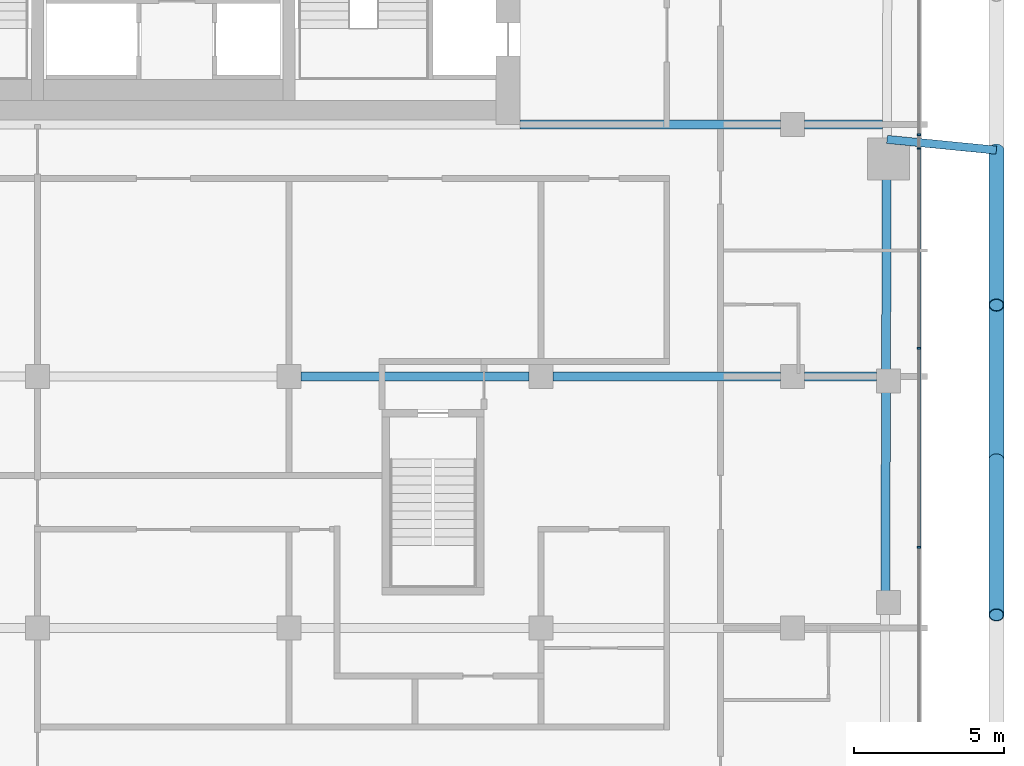
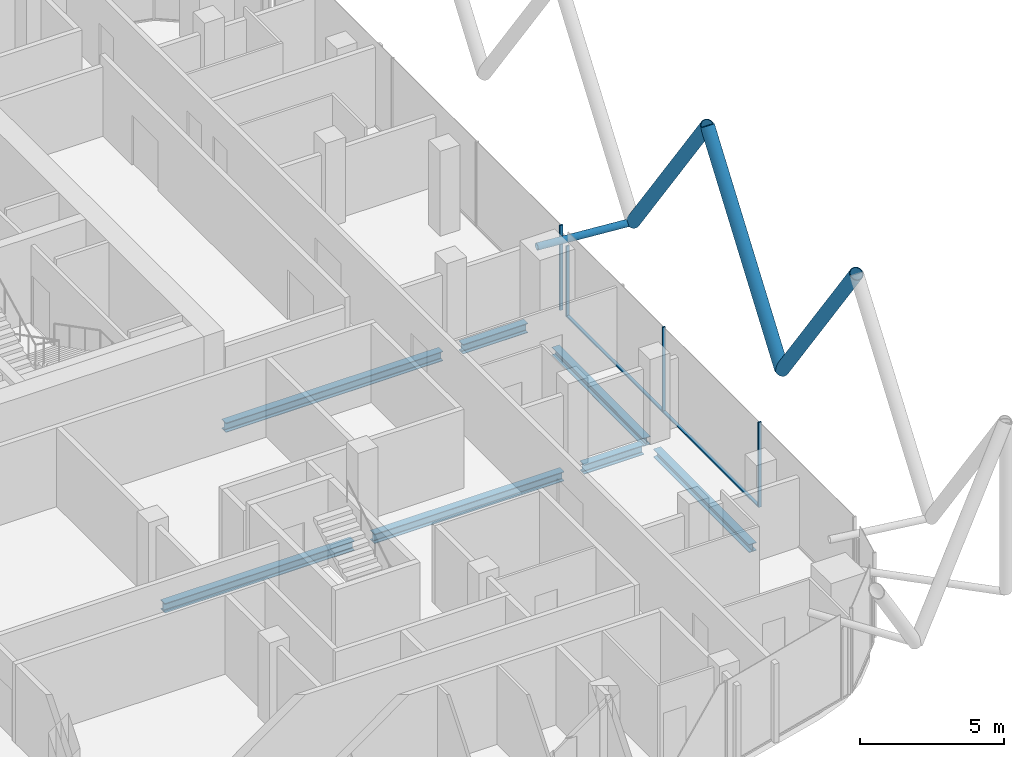
# One storey, part 7 of 31: 10 members, 7 beams, 3 elements without a shape of their own.
"""IFC4 building model written with IfcOpenShell, lengths in metres."""

from ifc_helpers import new_model, si_unit, direction, frame, origin, origin_2d, place, context, subcontext, project, spatial, rectangle, hollow_circle, i_section, extrude, material, layer, layer_set, material_profile, profile_set, type_object, element, aggregate, save


model = new_model("IFC4")

# Units and contexts
model_context = context("Model", 3, precision=1e-05, world=origin(), true_north=direction((0.0, 1.0)))
body_context = subcontext(model_context, "Body", "Model", "MODEL_VIEW")
ifc_project = project(units=[si_unit("LENGTHUNIT", "METRE"), si_unit("AREAUNIT", "SQUARE_METRE"), si_unit("VOLUMEUNIT", "CUBIC_METRE"), si_unit("PLANEANGLEUNIT", "RADIAN"), si_unit("MASSUNIT", "GRAM", prefix="KILO")], contexts=[model_context])

# Site, building, storey
site_placement = place(None, origin())
site = spatial("IfcSite", under=ifc_project, at=site_placement, CompositionType="ELEMENT")
building_placement = place(site_placement, origin())
building = spatial("IfcBuilding", under=site, at=building_placement, Name="Marenta Gate Hotel Tower", CompositionType="ELEMENT")
storey_placement = place(building_placement, frame((0.0, 0.0, 205.699951171875)))
storey = spatial("IfcBuildingStorey", under=building, at=storey_placement, Name="L47", CompositionType="ELEMENT", Elevation=205.699951171875)

# Members
ifc_material_1 = material(Name="Steel S355J2W", Category="steel")
ifc_material_profile_1 = material_profile(ifc_material_1, hollow_circle(Radius=0.25390625, WallThickness=0.02490234375, at=origin_2d()), Name="CHS 508x25")
ifc_profile_set_1 = profile_set([ifc_material_profile_1], Name="Steel S355J2W")
member_type_1 = type_object("IfcMemberType", Name="Diagrid diagonal Z3 CHS 508x25", PredefinedType="BRACE", material=ifc_profile_set_1)
member_1_placement = place(storey_placement, frame((27.800048828125, -0.85009765625, 3.14013671875), z_axis=(0.0, -0.583260841117, 0.812284919975), x_axis=(1.0, 0.0, 0.0)))
element("IfcMember", 1, at=member_1_placement, inside=storey, type_object=member_type_1, Name="L47-DG-6", PredefinedType="BRACE", context=body_context, shape_type="SweptSolid", body=[
    extrude(hollow_circle(Radius=0.25390625, WallThickness=0.02490234375, at=origin_2d()), origin(), (0.0, 0.0, 1.0), 8.86376953125),
])
member_2_placement = place(storey_placement, frame((27.800048828125, -11.190185546875, 3.14013671875), z_axis=(0.0, 0.583279014058, 0.812271870595), x_axis=(-1.0, 0.0, 0.0)))
element("IfcMember", 2, at=member_2_placement, inside=storey, type_object=member_type_1, Name="L47-DG-7", PredefinedType="BRACE", context=body_context, shape_type="SweptSolid", body=[
    extrude(hollow_circle(Radius=0.25390625, WallThickness=0.02490234375, at=origin_2d()), origin(), (0.0, 0.0, 1.0), 8.864013671875),
])
member_3_placement = place(storey_placement, frame((27.800048828125, -11.190185546875, 3.14013671875), z_axis=(0.0, -0.583260841117, 0.812284919975), x_axis=(1.0, 0.0, 0.0)))
element("IfcMember", 3, at=member_3_placement, inside=storey, type_object=member_type_1, Name="L47-DG-8", PredefinedType="BRACE", context=body_context, shape_type="SweptSolid", body=[
    extrude(hollow_circle(Radius=0.25390625, WallThickness=0.02490234375, at=origin_2d()), origin(), (0.0, 0.0, 1.0), 8.86376953125),
])

# Beams
ifc_material_2 = material(Name="Steel S355", Category="steel")
ifc_material_profile_2 = material_profile(ifc_material_2, i_section(OverallWidth=0.300048828125, OverallDepth=0.340087890625, WebThickness=0.011962890625, FlangeThickness=0.021484375, FilletRadius=0.027099609375, at=origin_2d()), Name="HEB 340")
ifc_profile_set_2 = profile_set([ifc_material_profile_2], Name="Steel S355")
beam_type_1 = type_object("IfcBeamType", Name="Edge beam HEB 340", PredefinedType="SPANDREL", material=ifc_profile_set_2)
beam_1_placement = place(storey_placement, frame((24.1396484375, -1.81005859375, -0.429931640625), z_axis=(-0.003328723523, -0.999994459785, 0.0), x_axis=(0.999994459785, -0.003328723523, 0.0)))
element("IfcBeam", 4, at=beam_1_placement, inside=storey, type_object=beam_type_1, Name="L47-EB-25", PredefinedType="SPANDREL", context=body_context, shape_type="SweptSolid", body=[
    extrude(i_section(OverallWidth=0.300048828125, OverallDepth=0.340087890625, WebThickness=0.011962890625, FlangeThickness=0.021484375, FilletRadius=0.027099609375, at=origin_2d()), origin(), (0.0, 0.0, 1.0), 6.380859375),
])
beam_2_placement = place(storey_placement, frame((24.115966796875, -8.910888671875, -0.429931640625), z_axis=(-0.00332539729, -0.999994470851, 0.0), x_axis=(0.999994470851, -0.00332539729, 0.0)))
element("IfcBeam", 5, at=beam_2_placement, inside=storey, type_object=beam_type_1, Name="L47-EB-26", PredefinedType="SPANDREL", context=body_context, shape_type="SweptSolid", body=[
    extrude(i_section(OverallWidth=0.300048828125, OverallDepth=0.340087890625, WebThickness=0.011962890625, FlangeThickness=0.021484375, FilletRadius=0.027099609375, at=origin_2d()), origin(), (0.0, 0.0, 1.0), 6.680908203125),
])

# Member
ifc_material_3 = material(Name="Steel S355J2W", Category="steel")
ifc_material_profile_3 = material_profile(ifc_material_3, hollow_circle(Radius=0.136474609375, WallThickness=0.012451171875, at=origin_2d()), Name="CHS 273x12.5")
ifc_profile_set_3 = profile_set([ifc_material_profile_3], Name="Steel S355J2W")
member_type_2 = type_object("IfcMemberType", Name="Floor tie CHS 273x12.5", PredefinedType="STRUT", material=ifc_profile_set_3)
member_4_placement = place(storey_placement, frame((27.800048828125, -0.85009765625, 3.14013671875), z_axis=(-0.995181771772, 0.098047137303, 0.0), x_axis=(-0.098047137303, -0.995181771772, 0.0)))
element("IfcMember", 6, at=member_4_placement, inside=storey, type_object=member_type_2, Name="L47-DR-9", PredefinedType="STRUT", context=body_context, shape_type="SweptSolid", body=[
    extrude(hollow_circle(Radius=0.136474609375, WallThickness=0.012451171875, at=origin_2d()), origin(), (0.0, 0.0, 1.0), 3.667724609375),
])

# Beams
ifc_material_4 = material(Name="Steel S355", Category="steel")
ifc_material_profile_4 = material_profile(ifc_material_4, i_section(OverallWidth=0.300048828125, OverallDepth=0.39990234375, WebThickness=0.013427734375, FlangeThickness=0.02392578125, FilletRadius=0.027099609375, at=origin_2d()), Name="HEB 400")
ifc_profile_set_4 = profile_set([ifc_material_profile_4], Name="Steel S355")
beam_type_2 = type_object("IfcBeamType", Name="Girder HEB 400", PredefinedType="BEAM", material=ifc_profile_set_4)
beam_3_placement = place(storey_placement, frame((4.60009765625, -8.39990234375, -0.4599609375), z_axis=(1.0, 0.0, 0.0), x_axis=(0.0, 1.0, 0.0)))
element("IfcBeam", 7, at=beam_3_placement, inside=storey, type_object=beam_type_2, Name="L47-GD-17", PredefinedType="BEAM", context=body_context, shape_type="SweptSolid", body=[
    extrude(i_section(OverallWidth=0.300048828125, OverallDepth=0.39990234375, WebThickness=0.013427734375, FlangeThickness=0.02392578125, FilletRadius=0.027099609375, at=origin_2d()), origin(), (0.0, 0.0, 1.0), 7.599853515625),
])
beam_4_placement = place(storey_placement, frame((13.0, -8.39990234375, -0.4599609375), z_axis=(1.0, 0.0, 0.0), x_axis=(0.0, 1.0, 0.0)))
element("IfcBeam", 8, at=beam_4_placement, inside=storey, type_object=beam_type_2, Name="L47-GD-18", PredefinedType="BEAM", context=body_context, shape_type="SweptSolid", body=[
    extrude(i_section(OverallWidth=0.300048828125, OverallDepth=0.39990234375, WebThickness=0.013427734375, FlangeThickness=0.02392578125, FilletRadius=0.027099609375, at=origin_2d()), origin(), (0.0, 0.0, 1.0), 7.60009765625),
])
beam_5_placement = place(storey_placement, frame((21.39990234375, -8.39990234375, -0.4599609375), z_axis=(1.0, 0.0, 0.0), x_axis=(0.0, 1.0, 0.0)))
element("IfcBeam", 9, at=beam_5_placement, inside=storey, type_object=beam_type_2, Name="L47-GD-19", PredefinedType="BEAM", context=body_context, shape_type="SweptSolid", body=[
    extrude(i_section(OverallWidth=0.300048828125, OverallDepth=0.39990234375, WebThickness=0.013427734375, FlangeThickness=0.02392578125, FilletRadius=0.027099609375, at=origin_2d()), origin(), (0.0, 0.0, 1.0), 2.400146484375),
])
beam_6_placement = place(storey_placement, frame((11.89990234375, 0.0, -0.4599609375), z_axis=(1.0, 0.0, 0.0), x_axis=(0.0, 1.0, 0.0)))
element("IfcBeam", 10, at=beam_6_placement, inside=storey, type_object=beam_type_2, Name="L47-GD-23", PredefinedType="BEAM", context=body_context, shape_type="SweptSolid", body=[
    extrude(i_section(OverallWidth=0.300048828125, OverallDepth=0.39990234375, WebThickness=0.013427734375, FlangeThickness=0.02392578125, FilletRadius=0.027099609375, at=origin_2d()), origin(), (0.0, 0.0, 1.0), 8.7001953125),
])
beam_7_placement = place(storey_placement, frame((21.39990234375, 0.0, -0.4599609375), z_axis=(1.0, 0.0, 0.0), x_axis=(0.0, 1.0, 0.0)))
element("IfcBeam", 11, at=beam_7_placement, inside=storey, type_object=beam_type_2, Name="L47-GD-24", PredefinedType="BEAM", context=body_context, shape_type="SweptSolid", body=[
    extrude(i_section(OverallWidth=0.300048828125, OverallDepth=0.39990234375, WebThickness=0.013427734375, FlangeThickness=0.02392578125, FilletRadius=0.027099609375, at=origin_2d()), origin(), (0.0, 0.0, 1.0), 2.595703125),
])

# Curtain wall, members
ifc_material_5 = material(Name="Tinted insulated glass in bronze anodised frame", Category="glass")
ifc_layer = layer(ifc_material_5, 0.1201171875)
ifc_layer_set = layer_set([ifc_layer], Name="Tinted insulated glass in bronze anodised frame")
curtain_wall_type = type_object("IfcCurtainWallType", Name="Tower unitised curtain wall CW1", PredefinedType="NOTDEFINED", material=ifc_layer_set)
curtain_wall_1_placement = place(storey_placement, origin())
curtain_wall_1 = element("IfcCurtainWall", 12, at=curtain_wall_1_placement, inside=storey, type_object=curtain_wall_type, Name="CW1 run G32", PredefinedType="NOTDEFINED")
ifc_material_6 = material(Name="Bronze anodised aluminium", Category="aluminium")
ifc_material_profile_5 = material_profile(ifc_material_6, rectangle(XDim=0.1201171875, YDim=0.06005859375, at=origin_2d()), Name="Mullion CW1 60x120 bronze anodised aluminium")
ifc_profile_set_5 = profile_set([ifc_material_profile_5], Name="Bronze anodised aluminium")
member_type_3 = type_object("IfcMemberType", Name="Mullion CW1 60x120 bronze anodised aluminium", PredefinedType="MULLION", material=ifc_profile_set_5)
member_5_placement = place(storey_placement, frame((25.214111328125, -14.103515625, 0.0), z_axis=(0.0, 0.0, 1.0), x_axis=(-1.0, 0.0, 0.0)))
member_5 = element("IfcMember", 13, at=member_5_placement, type_object=member_type_3, Name="CW1 mullion 2", PredefinedType="MULLION", context=body_context, shape_type="SweptSolid", body=[
    extrude(rectangle(XDim=0.1201171875, YDim=0.06005859375, at=origin_2d()), origin(), (0.0, 0.0, 1.0), 3.60009765625),
])
member_6_placement = place(storey_placement, frame((25.214111328125, -7.46337890625, 0.0), z_axis=(0.0, 0.0, 1.0), x_axis=(-1.0, 0.0, 0.0)))
member_6 = element("IfcMember", 14, at=member_6_placement, type_object=member_type_3, Name="CW1 mullion 3", PredefinedType="MULLION", context=body_context, shape_type="SweptSolid", body=[
    extrude(rectangle(XDim=0.1201171875, YDim=0.06005859375, at=origin_2d()), origin(), (0.0, 0.0, 1.0), 3.60009765625),
])

# Curtain wall, member
curtain_wall_2_placement = place(storey_placement, origin())
curtain_wall_2 = element("IfcCurtainWall", 15, at=curtain_wall_2_placement, inside=storey, type_object=curtain_wall_type, Name="CW1 run G33", PredefinedType="NOTDEFINED")
member_7_placement = place(storey_placement, frame((25.214111328125, -0.79296875, 0.0), z_axis=(0.0, 0.0, 1.0), x_axis=(-1.0, 0.0, 0.0)))
member_7 = element("IfcMember", 16, at=member_7_placement, type_object=member_type_3, Name="CW1 mullion 1", PredefinedType="MULLION", context=body_context, shape_type="SweptSolid", body=[
    extrude(rectangle(XDim=0.1201171875, YDim=0.06005859375, at=origin_2d()), origin(), (0.0, 0.0, 1.0), 3.00048828125),
])
aggregate(curtain_wall_2, [member_7])

curtain_wall_3_placement = place(storey_placement, origin())
curtain_wall_3 = element("IfcCurtainWall", 17, at=curtain_wall_3_placement, inside=storey, type_object=curtain_wall_type, Name="CW1 run G34", PredefinedType="NOTDEFINED")
member_8_placement = place(storey_placement, frame((25.214111328125, -0.337890625, 0.0), z_axis=(0.0, 0.0, 1.0), x_axis=(-1.0, 0.0, 0.0)))
member_8 = element("IfcMember", 18, at=member_8_placement, type_object=member_type_3, Name="CW1 mullion 1", PredefinedType="MULLION", context=body_context, shape_type="SweptSolid", body=[
    extrude(rectangle(XDim=0.1201171875, YDim=0.06005859375, at=origin_2d()), origin(), (0.0, 0.0, 1.0), 3.60009765625),
])
aggregate(curtain_wall_3, [member_8])

# Member
ifc_material_7 = material(Name="Bronze anodised aluminium", Category="aluminium")
ifc_material_profile_6 = material_profile(ifc_material_7, rectangle(XDim=0.1201171875, YDim=0.06005859375, at=origin_2d()), Name="Transom CW1 60x120 bronze anodised aluminium")
ifc_profile_set_6 = profile_set([ifc_material_profile_6], Name="Bronze anodised aluminium")
member_type_4 = type_object("IfcMemberType", Name="Transom CW1 60x120 bronze anodised aluminium", PredefinedType="USERDEFINED", material=ifc_profile_set_6)
member_9_placement = place(storey_placement, frame((25.214111328125, -14.073486328125, 0.030029296875), z_axis=(0.0, 1.0, 0.0), x_axis=(-1.0, 0.0, 0.0)))
member_9 = element("IfcMember", 19, at=member_9_placement, type_object=member_type_4, Name="CW1 transom 2.1", ObjectType="TRANSOM", PredefinedType="USERDEFINED", context=body_context, shape_type="SweptSolid", body=[
    extrude(rectangle(XDim=0.1201171875, YDim=0.06005859375, at=origin_2d()), origin(), (0.0, 0.0, 1.0), 6.580078125),
])

member_10_placement = place(storey_placement, frame((25.214111328125, -7.433349609375, 0.030029296875), z_axis=(0.0, 1.0, 0.0), x_axis=(-1.0, 0.0, 0.0)))
member_10 = element("IfcMember", 20, at=member_10_placement, type_object=member_type_4, Name="CW1 transom 3.1", ObjectType="TRANSOM", PredefinedType="USERDEFINED", context=body_context, shape_type="SweptSolid", body=[
    extrude(rectangle(XDim=0.1201171875, YDim=0.06005859375, at=origin_2d()), origin(), (0.0, 0.0, 1.0), 6.6103515625),
])

aggregate(curtain_wall_1, [member_5, member_6, member_9, member_10])

save(model, "model.ifc")
